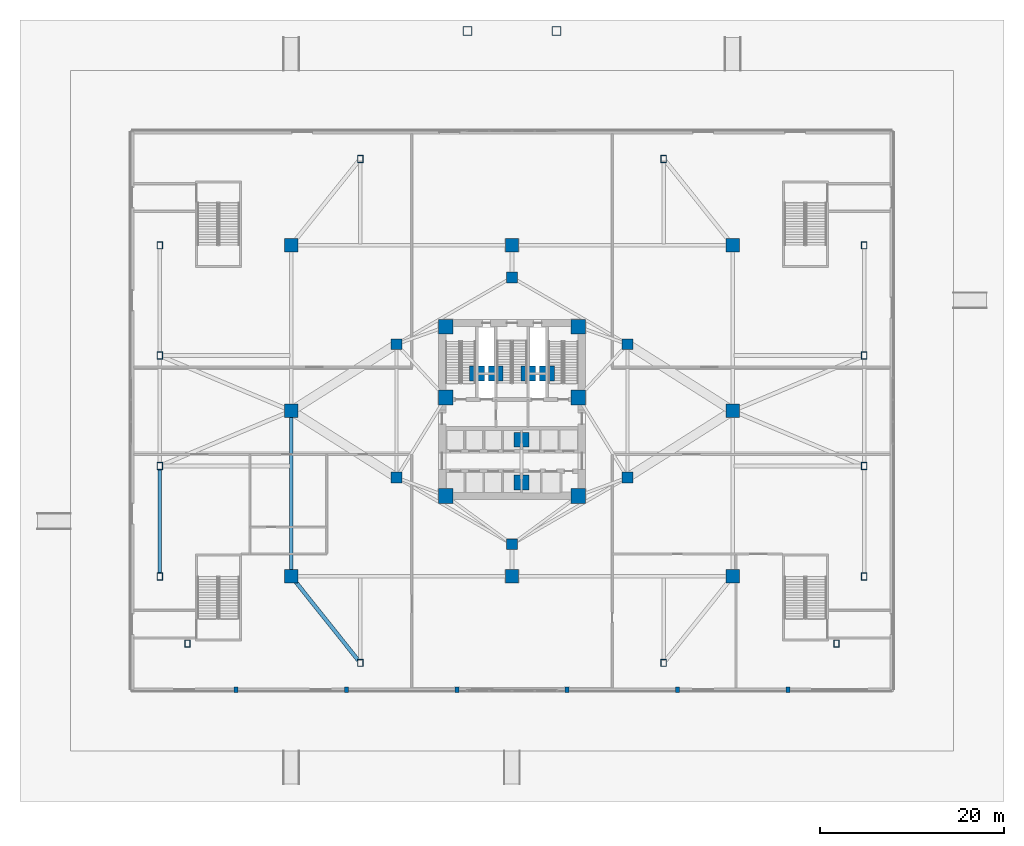
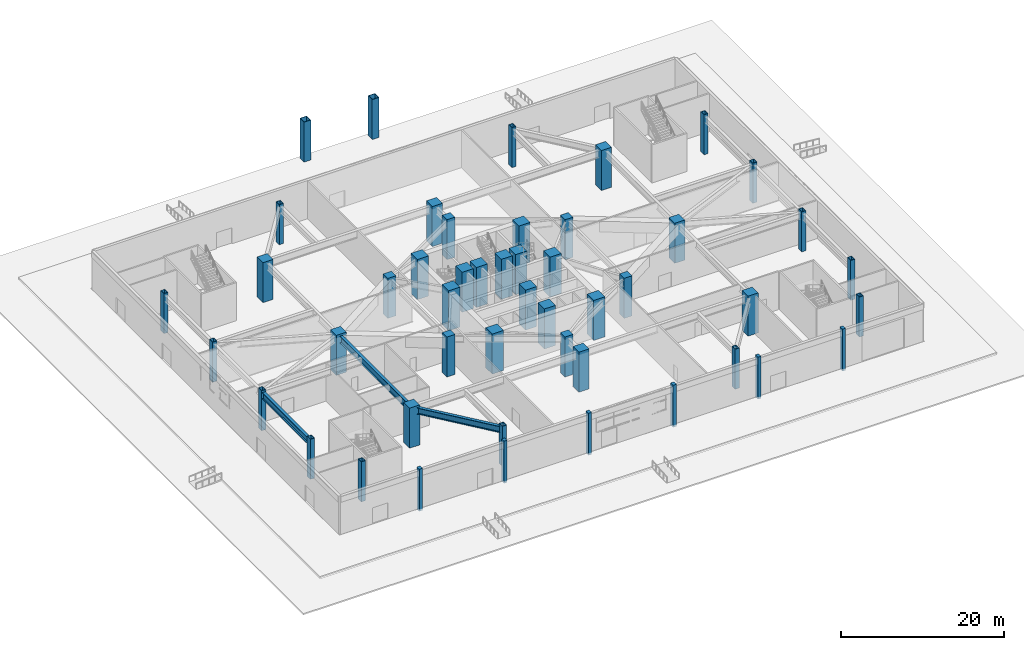
# One storey, part 1 of 24: 48 columns, 3 beams.
"""IFC4 building model written with IfcOpenShell, lengths in metres."""

from ifc_helpers import new_model, si_unit, direction, frame, origin, origin_2d, place, context, subcontext, project, spatial, rectangle, hollow_rectangle, i_section, extrude, material, material_profile, profile_set, type_object, element, save


model = new_model("IFC4")

# Units and contexts
model_context = context("Model", 3, precision=1e-05, world=origin(), true_north=direction((0.0, 1.0)))
body_context = subcontext(model_context, "Body", "Model", "MODEL_VIEW")
ifc_project = project(units=[si_unit("LENGTHUNIT", "METRE"), si_unit("AREAUNIT", "SQUARE_METRE"), si_unit("VOLUMEUNIT", "CUBIC_METRE"), si_unit("PLANEANGLEUNIT", "RADIAN"), si_unit("MASSUNIT", "GRAM", prefix="KILO")], contexts=[model_context])

# Site, building, storey
site_placement = place(None, origin())
site = spatial("IfcSite", under=ifc_project, at=site_placement, CompositionType="ELEMENT")
building_placement = place(site_placement, origin())
building = spatial("IfcBuilding", under=site, at=building_placement, Name="Apsidion Concourse Tower", CompositionType="ELEMENT")
storey_placement = place(building_placement, origin())
storey = spatial("IfcBuildingStorey", under=building, at=storey_placement, Name="L00", CompositionType="ELEMENT", Elevation=0.0)

# Columns
ifc_material_1 = material(Name="Structural steel ASTM A572 Grade 50", Category="steel")
ifc_material_profile_1 = material_profile(ifc_material_1, hollow_rectangle(XDim=1.0, YDim=1.0, WallThickness=0.06005859375, at=origin_2d()), Name="BOX1000X1000X60")
ifc_profile_set_1 = profile_set([ifc_material_profile_1], Name="Structural steel ASTM A572 Grade 50")
column_type_1 = type_object("IfcColumnType", Name="COL-BOX-1000", PredefinedType="COLUMN", material=ifc_profile_set_1)
for number, where, z_axis, x_axis, name in (
    (1, (-4.845703125, 41.306884765625, 0.0), (0.0, 0.0, 1.0), (1.0, 0.0, 0.0), "L00 North Forecourt Prow Colonnade Column PRW-W"),
    (2, (4.845703125, 41.306884765625, 0.0), (0.0, 0.0, 1.0), (1.0, 0.0, 0.0), "L00 North Forecourt Prow Colonnade Column PRW-E"),
):
    element("IfcColumn", number, at=place(storey_placement, frame(where, z_axis=z_axis, x_axis=x_axis)), inside=storey, type_object=column_type_1, Name=name, PredefinedType="COLUMN", context=body_context, shape_type="SweptSolid", body=[
        extrude(hollow_rectangle(XDim=1.0, YDim=1.0, WallThickness=0.06005859375, at=origin_2d()), origin(), (0.0, 0.0, 1.0), 6.0),
    ])
ifc_material_profile_2 = material_profile(ifc_material_1, hollow_rectangle(XDim=0.60009765625, YDim=0.800048828125, WallThickness=0.050048828125, at=origin_2d()), Name="BOX800X600X50")
ifc_profile_set_2 = profile_set([ifc_material_profile_2], Name="Structural steel ASTM A572 Grade 50")
column_type_2 = type_object("IfcColumnType", Name="COL-BOX-800", PredefinedType="COLUMN", material=ifc_profile_set_2)
for number, where, z_axis, x_axis, name in (
    (3, (-38.300048828125, -18.0, 0.0), (0.0, 0.0, 1.0), (1.0, 0.0, 0.0), "L00 Podium Perimeter Column PC01"),
    (4, (-38.300048828125, -6.0, 0.0), (0.0, 0.0, 1.0), (1.0, 0.0, 0.0), "L00 Podium Perimeter Column PC02"),
    (5, (-38.300048828125, 6.0, 0.0), (0.0, 0.0, 1.0), (1.0, 0.0, 0.0), "L00 Podium Perimeter Column PC03"),
    (6, (-38.300048828125, 18.0, 0.0), (0.0, 0.0, 1.0), (1.0, 0.0, 0.0), "L00 Podium Perimeter Column PC04"),
    (7, (38.300048828125, -18.0, 0.0), (0.0, 0.0, 1.0), (1.0, 0.0, 0.0), "L00 Podium Perimeter Column PC05"),
    (8, (38.300048828125, -6.0, 0.0), (0.0, 0.0, 1.0), (1.0, 0.0, 0.0), "L00 Podium Perimeter Column PC06"),
    (9, (38.300048828125, 6.0, 0.0), (0.0, 0.0, 1.0), (1.0, 0.0, 0.0), "L00 Podium Perimeter Column PC07"),
    (10, (38.300048828125, 18.0, 0.0), (0.0, 0.0, 1.0), (1.0, 0.0, 0.0), "L00 Podium Perimeter Column PC08"),
    (11, (-16.5, -27.39990234375, 0.0), (0.0, 0.0, 1.0), (1.0, 0.0, 0.0), "L00 Podium Perimeter Column PC09"),
    (12, (16.5, -27.39990234375, 0.0), (0.0, 0.0, 1.0), (1.0, 0.0, 0.0), "L00 Podium Perimeter Column PC10"),
    (13, (-16.5, 27.39990234375, 0.0), (0.0, 0.0, 1.0), (1.0, 0.0, 0.0), "L00 Podium Perimeter Column PC11"),
    (14, (16.5, 27.39990234375, 0.0), (0.0, 0.0, 1.0), (1.0, 0.0, 0.0), "L00 Podium Perimeter Column PC12"),
    (15, (-35.300048828125, -25.320068359375, 0.0), (0.0, 0.0, 1.0), (1.0, 0.0, 0.0), "L00 Podium South Corner Column SWCR-W"),
    (16, (35.300048828125, -25.320068359375, 0.0), (0.0, 0.0, 1.0), (1.0, 0.0, 0.0), "L00 Podium South Corner Column SWCR-E"),
):
    element("IfcColumn", number, at=place(storey_placement, frame(where, z_axis=z_axis, x_axis=x_axis)), inside=storey, type_object=column_type_2, Name=name, PredefinedType="COLUMN", context=body_context, shape_type="SweptSolid", body=[
        extrude(hollow_rectangle(XDim=0.60009765625, YDim=0.800048828125, WallThickness=0.050048828125, at=origin_2d()), origin(), (0.0, 0.0, 1.0), 6.0),
    ])
ifc_material_2 = material(Name="Precast concrete C40/50", Category="concrete")
ifc_material_profile_3 = material_profile(ifc_material_2, rectangle(XDim=0.449951171875, YDim=0.60009765625, at=origin_2d()), Name="RC 600x450")
ifc_profile_set_3 = profile_set([ifc_material_profile_3], Name="Precast concrete C40/50")
column_type_3 = type_object("IfcColumnType", Name="COL-PIL-600", PredefinedType="PILASTER", material=ifc_profile_set_3)
for number, where, z_axis, x_axis, name in (
    (17, (-30.0, -30.35009765625, -0.300048828125), (0.0, 0.0, 1.0), (1.0, 0.0, 0.0), "L00 Street Concourse Stone Pilaster PIL-01"),
    (18, (-18.0, -30.35009765625, -0.300048828125), (0.0, 0.0, 1.0), (1.0, 0.0, 0.0), "L00 Street Concourse Stone Pilaster PIL-02"),
    (19, (-6.0, -30.35009765625, -0.300048828125), (0.0, 0.0, 1.0), (1.0, 0.0, 0.0), "L00 Street Concourse Stone Pilaster PIL-03"),
    (20, (6.0, -30.35009765625, -0.300048828125), (0.0, 0.0, 1.0), (1.0, 0.0, 0.0), "L00 Street Concourse Stone Pilaster PIL-04"),
    (21, (18.0, -30.35009765625, -0.300048828125), (0.0, 0.0, 1.0), (1.0, 0.0, 0.0), "L00 Street Concourse Stone Pilaster PIL-05"),
    (22, (30.0, -30.35009765625, -0.300048828125), (0.0, 0.0, 1.0), (1.0, 0.0, 0.0), "L00 Street Concourse Stone Pilaster PIL-06"),
):
    element("IfcColumn", number, at=place(storey_placement, frame(where, z_axis=z_axis, x_axis=x_axis)), inside=storey, type_object=column_type_3, Name=name, PredefinedType="PILASTER", context=body_context, shape_type="SweptSolid", body=[
        extrude(rectangle(XDim=0.449951171875, YDim=0.60009765625, at=origin_2d()), origin(), (0.0, 0.0, 1.0), 6.300048828125),
    ])
ifc_material_3 = material(Name="Concrete C50/60", Category="concrete")
ifc_material_profile_4 = material_profile(ifc_material_3, rectangle(XDim=1.14990234375, YDim=1.14990234375, at=origin_2d()), Name="RC 1150x1150")
ifc_profile_set_4 = profile_set([ifc_material_profile_4], Name="Concrete C50/60")
column_type_4 = type_object("IfcColumnType", Name="COL-RC-1150", PredefinedType="COLUMN", material=ifc_profile_set_4)
for number, where, z_axis, x_axis, name in (
    (23, (-12.56005859375, -7.25, 0.0), (0.0, 0.0, 1.0), (1.0, 0.0, 0.0), "L00 Interior Spine Column IC1"),
    (24, (12.56005859375, -7.25, 0.0), (0.0, 0.0, 1.0), (1.0, 0.0, 0.0), "L00 Interior Spine Column IC2"),
    (25, (12.56005859375, 7.25, 0.0), (0.0, 0.0, 1.0), (1.0, 0.0, 0.0), "L00 Interior Spine Column IC3"),
    (26, (0.0, 14.5, 0.0), (0.0, 0.0, 1.0), (1.0, 0.0, 0.0), "L00 Interior Spine Column IC4"),
    (27, (-12.56005859375, 7.25, 0.0), (0.0, 0.0, 1.0), (1.0, 0.0, 0.0), "L00 Interior Spine Column IC5"),
    (28, (0.0, -14.5, 0.0), (0.0, 0.0, 1.0), (1.0, 0.0, 0.0), "L00 Interior Spine Column IC6"),
):
    element("IfcColumn", number, at=place(storey_placement, frame(where, z_axis=z_axis, x_axis=x_axis)), inside=storey, type_object=column_type_4, Name=name, PredefinedType="COLUMN", context=body_context, shape_type="SweptSolid", body=[
        extrude(rectangle(XDim=1.14990234375, YDim=1.14990234375, at=origin_2d()), origin(), (0.0, 0.0, 1.0), 6.0),
    ])
ifc_material_4 = material(Name="Concrete C60/75", Category="concrete")
ifc_material_profile_5 = material_profile(ifc_material_4, rectangle(XDim=1.449951171875, YDim=1.449951171875, at=origin_2d()), Name="RC 1450x1450")
ifc_profile_set_5 = profile_set([ifc_material_profile_5], Name="Concrete C60/75")
column_type_5 = type_object("IfcColumnType", Name="COL-RC-1450", PredefinedType="COLUMN", material=ifc_profile_set_5)
for number, where, z_axis, x_axis, name in (
    (29, (-24.0, -18.0, 0.0), (0.0, 0.0, 1.0), (1.0, 0.0, 0.0), "L00 Podium Mega-Column MC1"),
    (30, (24.0, -18.0, 0.0), (0.0, 0.0, 1.0), (1.0, 0.0, 0.0), "L00 Podium Mega-Column MC2"),
    (31, (-24.0, 0.0, 0.0), (0.0, 0.0, 1.0), (1.0, 0.0, 0.0), "L00 Podium Mega-Column MC3"),
    (32, (24.0, 0.0, 0.0), (0.0, 0.0, 1.0), (1.0, 0.0, 0.0), "L00 Podium Mega-Column MC4"),
    (33, (-24.0, 18.0, 0.0), (0.0, 0.0, 1.0), (1.0, 0.0, 0.0), "L00 Podium Mega-Column MC5"),
    (34, (24.0, 18.0, 0.0), (0.0, 0.0, 1.0), (1.0, 0.0, 0.0), "L00 Podium Mega-Column MC6"),
    (35, (0.0, -18.0, 0.0), (0.0, 0.0, 1.0), (1.0, 0.0, 0.0), "L00 Podium Mega-Column MC7"),
    (36, (0.0, 18.0, 0.0), (0.0, 0.0, 1.0), (1.0, 0.0, 0.0), "L00 Podium Mega-Column MC8"),
):
    element("IfcColumn", number, at=place(storey_placement, frame(where, z_axis=z_axis, x_axis=x_axis)), inside=storey, type_object=column_type_5, Name=name, PredefinedType="COLUMN", context=body_context, shape_type="SweptSolid", body=[
        extrude(rectangle(XDim=1.449951171875, YDim=1.449951171875, at=origin_2d()), origin(), (0.0, 0.0, 1.0), 6.0),
    ])
ifc_material_profile_6 = material_profile(ifc_material_4, rectangle(XDim=1.60009765625, YDim=1.60009765625, at=origin_2d()), Name="RC 1600x1600")
ifc_profile_set_6 = profile_set([ifc_material_profile_6], Name="Concrete C60/75")
column_type_6 = type_object("IfcColumnType", Name="COL-RC-1600", PredefinedType="COLUMN", material=ifc_profile_set_6)
for number, where, z_axis, x_axis, name in (
    (37, (-7.199951171875, -9.25, 0.0), (0.0, 0.0, 1.0), (1.0, 0.0, 0.0), "L00 Core Super-Column SC1"),
    (38, (7.199951171875, -9.25, 0.0), (0.0, 0.0, 1.0), (1.0, 0.0, 0.0), "L00 Core Super-Column SC2"),
    (39, (7.199951171875, 1.449951171875, 0.0), (0.0, 0.0, 1.0), (1.0, 0.0, 0.0), "L00 Core Super-Column SC3"),
    (40, (7.199951171875, 9.14990234375, 0.0), (0.0, 0.0, 1.0), (1.0, 0.0, 0.0), "L00 Core Super-Column SC4"),
    (41, (-7.199951171875, 9.14990234375, 0.0), (0.0, 0.0, 1.0), (1.0, 0.0, 0.0), "L00 Core Super-Column SC5"),
    (42, (-7.199951171875, 1.449951171875, 0.0), (0.0, 0.0, 1.0), (1.0, 0.0, 0.0), "L00 Core Super-Column SC6"),
    (43, (-3.800048828125, 4.050048828125, 0.0), (0.0, 0.0, 1.0), (1.0, 0.0, 0.0), "L00 Core Super-Column CC1"),
    (44, (3.800048828125, 4.050048828125, 0.0), (0.0, 0.0, 1.0), (1.0, 0.0, 0.0), "L00 Core Super-Column CC2"),
    (45, (-1.77490234375, 4.050048828125, 0.0), (0.0, 0.0, 1.0), (1.0, 0.0, 0.0), "L00 Core Super-Column CC3"),
    (46, (1.77490234375, 4.050048828125, 0.0), (0.0, 0.0, 1.0), (1.0, 0.0, 0.0), "L00 Core Super-Column CC4"),
    (47, (1.02490234375, -3.14990234375, 0.0), (0.0, 0.0, 1.0), (1.0, 0.0, 0.0), "L00 Core Super-Column CC5"),
    (48, (1.02490234375, -7.800048828125, 0.0), (0.0, 0.0, 1.0), (1.0, 0.0, 0.0), "L00 Core Super-Column CC6"),
):
    element("IfcColumn", number, at=place(storey_placement, frame(where, z_axis=z_axis, x_axis=x_axis)), inside=storey, type_object=column_type_6, Name=name, PredefinedType="COLUMN", context=body_context, shape_type="SweptSolid", body=[
        extrude(rectangle(XDim=1.60009765625, YDim=1.60009765625, at=origin_2d()), origin(), (0.0, 0.0, 1.0), 6.0),
    ])

# Beams
ifc_material_5 = material(Name="Structural steel ASTM A992 Grade 50", Category="steel")
ifc_material_profile_7 = material_profile(ifc_material_5, i_section(OverallWidth=0.423095703125, OverallDepth=0.947998046875, WebThickness=0.02392578125, FlangeThickness=0.042724609375, at=origin_2d()), Name="W36X302")
ifc_profile_set_7 = profile_set([ifc_material_profile_7], Name="Structural steel ASTM A992 Grade 50")
beam_type_1 = type_object("IfcBeamType", Name="BM-G-W36H", PredefinedType="USERDEFINED", material=ifc_profile_set_7)
beam_1_placement = place(storey_placement, frame((-16.71826171875, -27.12646484375, 5.22607421875), z_axis=(-0.623685030382, 0.781675753031, 0.0), x_axis=(-0.781675753031, -0.623685030382, 0.0)))
element("IfcBeam", 49, at=beam_1_placement, inside=storey, type_object=beam_type_1, Name="L00 Podium Diagonal Frame Tie PC09", ObjectType="GIRDER", PredefinedType="USERDEFINED", context=body_context, shape_type="SweptSolid", body=[
    extrude(i_section(OverallWidth=0.423095703125, OverallDepth=0.947998046875, WebThickness=0.02392578125, FlangeThickness=0.042724609375, at=origin_2d()), origin(), (0.0, 0.0, 1.0), 11.325439453125),
])
beam_2_placement = place(storey_placement, frame((-38.300048828125, -17.64990234375, 5.22607421875), z_axis=(0.0, 1.0, 0.0), x_axis=(-1.0, 0.0, 0.0)))
element("IfcBeam", 50, at=beam_2_placement, inside=storey, type_object=beam_type_1, Name="L00 Podium Spandrel Girder PC01-PC02", ObjectType="GIRDER", PredefinedType="USERDEFINED", context=body_context, shape_type="SweptSolid", body=[
    extrude(i_section(OverallWidth=0.423095703125, OverallDepth=0.947998046875, WebThickness=0.02392578125, FlangeThickness=0.042724609375, at=origin_2d()), origin(), (0.0, 0.0, 1.0), 11.2998046875),
])
ifc_material_profile_8 = material_profile(ifc_material_5, i_section(OverallWidth=0.402099609375, OverallDepth=1.008056640625, WebThickness=0.02099609375, FlangeThickness=0.0400390625, at=origin_2d()), Name="W40X277")
ifc_profile_set_8 = profile_set([ifc_material_profile_8], Name="Structural steel ASTM A992 Grade 50")
beam_type_2 = type_object("IfcBeamType", Name="BM-G-W40", PredefinedType="USERDEFINED", material=ifc_profile_set_8)
beam_3_placement = place(storey_placement, frame((-24.0, -17.64990234375, 5.196044921875), z_axis=(0.0, 1.0, 0.0), x_axis=(-1.0, 0.0, 0.0)))
element("IfcBeam", 51, at=beam_3_placement, inside=storey, type_object=beam_type_2, Name="L00 Podium Girder MC1-MC3", ObjectType="GIRDER", PredefinedType="USERDEFINED", context=body_context, shape_type="SweptSolid", body=[
    extrude(i_section(OverallWidth=0.402099609375, OverallDepth=1.008056640625, WebThickness=0.02099609375, FlangeThickness=0.0400390625, at=origin_2d()), origin(), (0.0, 0.0, 1.0), 17.2998046875),
])

save(model, "model.ifc")
